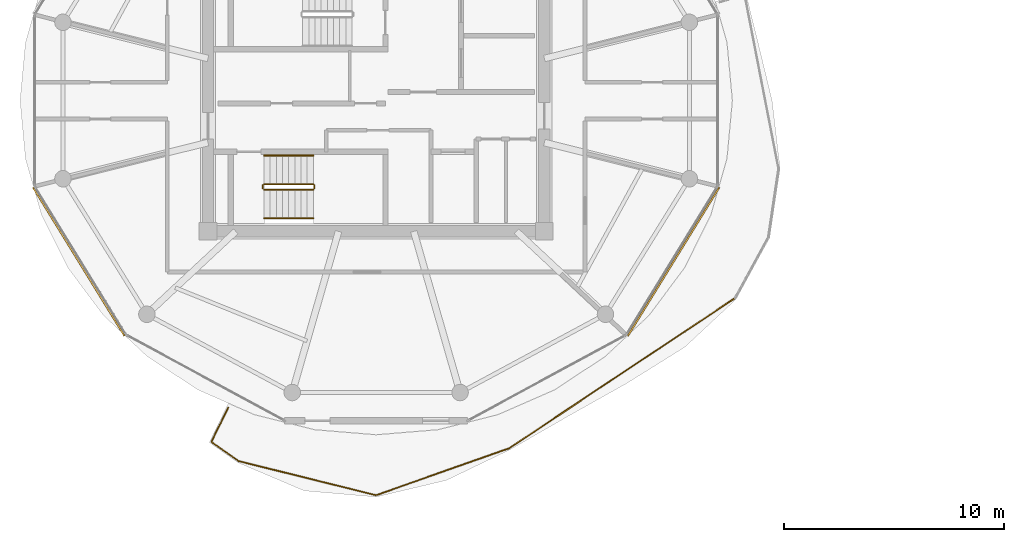
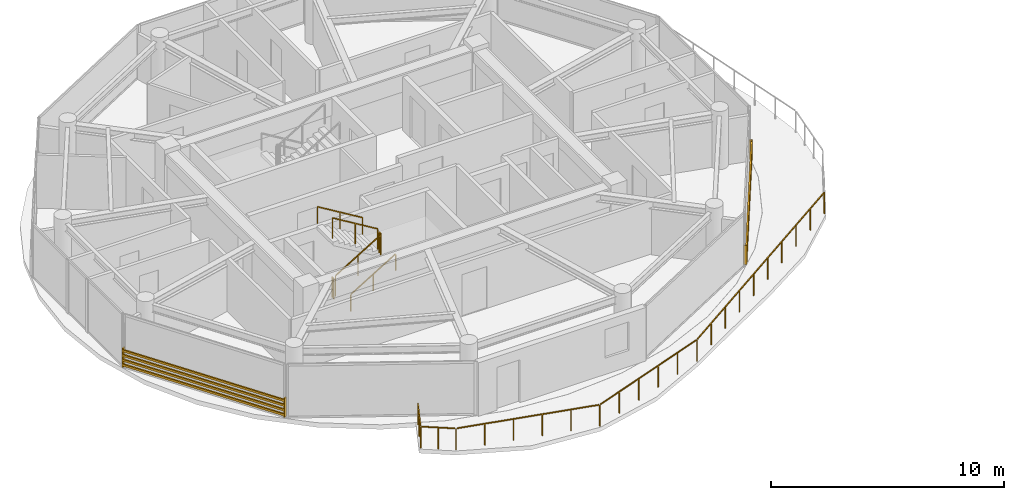
# One storey, part 15 of 19: 7 railings, 2 shading devices.
"""IFC4 building model written with IfcOpenShell, lengths in metres."""

from ifc_helpers import new_model, si_unit, direction, frame, origin, origin_2d, place, context, subcontext, project, spatial, rectangle, extrude, source, transform, mapped, material, type_object, type_shapes, element, save


model = new_model("IFC4")

# Units and contexts
model_context = context("Model", 3, precision=1e-05, world=origin(), true_north=direction((0.0, 1.0)))
body_context = subcontext(model_context, "Body", "Model", "MODEL_VIEW")
ifc_project = project(units=[si_unit("LENGTHUNIT", "METRE"), si_unit("AREAUNIT", "SQUARE_METRE"), si_unit("VOLUMEUNIT", "CUBIC_METRE"), si_unit("PLANEANGLEUNIT", "RADIAN"), si_unit("MASSUNIT", "GRAM", prefix="KILO")], contexts=[model_context])

# Site, building, storey
site_placement = place(None, origin())
site = spatial("IfcSite", under=ifc_project, at=site_placement, CompositionType="ELEMENT")
building_placement = place(site_placement, origin())
building = spatial("IfcBuilding", under=site, at=building_placement, Name="Norrkilde Senior Care Towers", CompositionType="ELEMENT")
storey_placement = place(building_placement, frame((0.0, 0.0, 238.300048828125)))
storey = spatial("IfcBuildingStorey", under=building, at=storey_placement, Name="L74", CompositionType="ELEMENT", Elevation=238.300048828125)

# Railings
ifc_material_1 = material(Name="Anodised Aluminium", Category="aluminium")
railing_type_1 = type_object("IfcRailingType", Name="Balcony Swirl Ribbon Guardrail 1150", PredefinedType="GUARDRAIL", material=ifc_material_1)
railing_1_placement = place(storey_placement, frame((-11.690673828125, -8.992431640625, 0.0)))
element("IfcRailing", 1, at=railing_1_placement, inside=storey, type_object=railing_type_1, Name="L74 Perimeter Safety Guard 03", PredefinedType="GUARDRAIL", context=body_context, shape_type="SweptSolid", body=[
    extrude(rectangle(XDim=0.048095703125, YDim=0.048095703125, at=origin_2d()), frame((0.0, 0.0, 1.1259765625), z_axis=(-0.832741710503, -0.553661668882, 0.0), x_axis=(0.553661668882, -0.832741710503, 0.0)), (0.0, 0.0, 1.0), 12.279052734375),
    extrude(rectangle(XDim=0.048095703125, YDim=0.048095703125, at=origin_2d()), frame((-10.2978515625, -6.834716796875, 1.1259765625), z_axis=(-0.942927155557, -0.332999068038, 0.0), x_axis=(0.332999068038, -0.942927155557, 0.0)), (0.0, 0.0, 1.0), 6.340576171875),
    extrude(rectangle(XDim=0.048095703125, YDim=0.048095703125, at=origin_2d()), frame((-16.35498046875, -8.949951171875, 1.1259765625), z_axis=(-0.970507519552, 0.24107084953, 0.0), x_axis=(-0.24107084953, -0.970507519552, 0.0)), (0.0, 0.0, 1.0), 6.35107421875),
    extrude(rectangle(XDim=0.048095703125, YDim=0.048095703125, at=origin_2d()), frame((-22.591796875, -7.38525390625, 1.1259765625), z_axis=(-0.816985659405, 0.576657985574, 0.0), x_axis=(-0.576657985574, -0.816985659405, 0.0)), (0.0, 0.0, 1.0), 1.43896484375),
    extrude(rectangle(XDim=0.048095703125, YDim=0.048095703125, at=origin_2d()), frame((-23.782958984375, -6.495361328125, 1.1259765625), z_axis=(0.438777350305, 0.898595813956, 0.0), x_axis=(-0.898595813956, 0.438777350305, 0.0)), (0.0, 0.0, 1.0), 1.699462890625),
    extrude(rectangle(XDim=0.0419921875, YDim=0.0419921875, at=origin_2d()), origin(), (0.0, 0.0, 1.0), 1.099853515625),
    extrude(rectangle(XDim=0.0419921875, YDim=0.0419921875, at=origin_2d()), frame((-1.139892578125, -0.7578125, 0.0)), (0.0, 0.0, 1.0), 1.099853515625),
    extrude(rectangle(XDim=0.0419921875, YDim=0.0419921875, at=origin_2d()), frame((-2.27978515625, -1.515869140625, 0.0)), (0.0, 0.0, 1.0), 1.099853515625),
    extrude(rectangle(XDim=0.0419921875, YDim=0.0419921875, at=origin_2d()), frame((-3.419677734375, -2.273681640625, 0.0)), (0.0, 0.0, 1.0), 1.099853515625),
    extrude(rectangle(XDim=0.0419921875, YDim=0.0419921875, at=origin_2d()), frame((-4.5595703125, -3.031494140625, 0.0)), (0.0, 0.0, 1.0), 1.099853515625),
    extrude(rectangle(XDim=0.0419921875, YDim=0.0419921875, at=origin_2d()), frame((-5.69970703125, -3.78955078125, 0.0)), (0.0, 0.0, 1.0), 1.099853515625),
    extrude(rectangle(XDim=0.0419921875, YDim=0.0419921875, at=origin_2d()), frame((-6.839599609375, -4.54736328125, 0.0)), (0.0, 0.0, 1.0), 1.099853515625),
    extrude(rectangle(XDim=0.0419921875, YDim=0.0419921875, at=origin_2d()), frame((-7.9794921875, -5.30517578125, 0.0)), (0.0, 0.0, 1.0), 1.099853515625),
    extrude(rectangle(XDim=0.0419921875, YDim=0.0419921875, at=origin_2d()), frame((-9.119384765625, -6.063232421875, 0.0)), (0.0, 0.0, 1.0), 1.099853515625),
    extrude(rectangle(XDim=0.0419921875, YDim=0.0419921875, at=origin_2d()), frame((-10.25927734375, -6.821044921875, 0.0)), (0.0, 0.0, 1.0), 1.099853515625),
    extrude(rectangle(XDim=0.0419921875, YDim=0.0419921875, at=origin_2d()), frame((-11.470458984375, -7.248779296875, 0.0)), (0.0, 0.0, 1.0), 1.099853515625),
    extrude(rectangle(XDim=0.0419921875, YDim=0.0419921875, at=origin_2d()), frame((-12.681640625, -7.676513671875, 0.0)), (0.0, 0.0, 1.0), 1.099853515625),
    extrude(rectangle(XDim=0.0419921875, YDim=0.0419921875, at=origin_2d()), frame((-13.892822265625, -8.104248046875, 0.0)), (0.0, 0.0, 1.0), 1.099853515625),
    extrude(rectangle(XDim=0.0419921875, YDim=0.0419921875, at=origin_2d()), frame((-15.10400390625, -8.531982421875, 0.0)), (0.0, 0.0, 1.0), 1.099853515625),
    extrude(rectangle(XDim=0.0419921875, YDim=0.0419921875, at=origin_2d()), frame((-16.315185546875, -8.959716796875, 0.0)), (0.0, 0.0, 1.0), 1.099853515625),
    extrude(rectangle(XDim=0.0419921875, YDim=0.0419921875, at=origin_2d()), frame((-17.563720703125, -8.649658203125, 0.0)), (0.0, 0.0, 1.0), 1.099853515625),
    extrude(rectangle(XDim=0.0419921875, YDim=0.0419921875, at=origin_2d()), frame((-18.8125, -8.33935546875, 0.0)), (0.0, 0.0, 1.0), 1.099853515625),
    extrude(rectangle(XDim=0.0419921875, YDim=0.0419921875, at=origin_2d()), frame((-20.06103515625, -8.029296875, 0.0)), (0.0, 0.0, 1.0), 1.099853515625),
    extrude(rectangle(XDim=0.0419921875, YDim=0.0419921875, at=origin_2d()), frame((-21.309814453125, -7.718994140625, 0.0)), (0.0, 0.0, 1.0), 1.099853515625),
    extrude(rectangle(XDim=0.0419921875, YDim=0.0419921875, at=origin_2d()), frame((-22.558349609375, -7.408935546875, 0.0)), (0.0, 0.0, 1.0), 1.099853515625),
    extrude(rectangle(XDim=0.0419921875, YDim=0.0419921875, at=origin_2d()), frame((-23.1796875, -6.970458984375, 0.0)), (0.0, 0.0, 1.0), 1.099853515625),
    extrude(rectangle(XDim=0.0419921875, YDim=0.0419921875, at=origin_2d()), frame((-23.80078125, -6.531982421875, 0.0)), (0.0, 0.0, 1.0), 1.099853515625),
    extrude(rectangle(XDim=0.0419921875, YDim=0.0419921875, at=origin_2d()), frame((-23.4189453125, -5.75, 0.0)), (0.0, 0.0, 1.0), 1.099853515625),
    extrude(rectangle(XDim=0.0419921875, YDim=0.0419921875, at=origin_2d()), frame((-23.037109375, -4.968017578125, 0.0)), (0.0, 0.0, 1.0), 1.099853515625),
])
ifc_material_2 = material(Name="Stainless Steel", Category="steel")
railing_type_2 = type_object("IfcRailingType", Name="Stair and Terrace Guardrail 1100", PredefinedType="GUARDRAIL", material=ifc_material_2)
railing_2_placement = place(storey_placement, frame((-33.10009765625, -4.050048828125, 0.16943359375)))
element("IfcRailing", 2, at=railing_2_placement, inside=storey, type_object=railing_type_2, Name="L74 ST-W2 stair guard 1", PredefinedType="GUARDRAIL", context=body_context, shape_type="SweptSolid", body=[
    extrude(rectangle(XDim=0.048095703125, YDim=0.048095703125, at=origin_2d()), frame((0.0, 0.0, 1.076171875), z_axis=(0.855553338991, 0.0, 0.51771467445), x_axis=(0.0, 1.0, 0.0)), (0.0, 0.0, 1.0), 2.6181640625),
    extrude(rectangle(XDim=0.0419921875, YDim=0.0419921875, at=origin_2d()), origin(), (0.0, 0.0, 1.0), 1.050048828125),
    extrude(rectangle(XDim=0.0419921875, YDim=0.0419921875, at=origin_2d()), frame((1.1201171875, 0.0, 0.677734375)), (0.0, 0.0, 1.0), 1.050048828125),
    extrude(rectangle(XDim=0.0419921875, YDim=0.0419921875, at=origin_2d()), frame((2.239990234375, 0.0, 1.35546875)), (0.0, 0.0, 1.0), 1.050048828125),
])
railing_3_placement = place(storey_placement, frame((-30.81005859375, -4.0, 1.52490234375)))
element("IfcRailing", 3, at=railing_3_placement, inside=storey, type_object=railing_type_2, Name="L74 ST-W2 stair guard 2", PredefinedType="GUARDRAIL", context=body_context, shape_type="SweptSolid", body=[
    extrude(rectangle(XDim=0.048095703125, YDim=0.048095703125, at=origin_2d()), frame((0.0, 0.0, 1.076171875), z_axis=(0.0, 1.0, 0.0), x_axis=(-1.0, 0.0, 0.0)), (0.0, 0.0, 1.0), 0.14990234375),
    extrude(rectangle(XDim=0.0419921875, YDim=0.0419921875, at=origin_2d()), origin(), (0.0, 0.0, 1.0), 1.050048828125),
    extrude(rectangle(XDim=0.0419921875, YDim=0.0419921875, at=origin_2d()), frame((0.0, 0.14990234375, 0.0)), (0.0, 0.0, 1.0), 1.050048828125),
])
railing_4_placement = place(storey_placement, frame((-30.860107421875, -3.800048828125, 1.6943359375)))
element("IfcRailing", 4, at=railing_4_placement, inside=storey, type_object=railing_type_2, Name="L74 ST-W2 stair guard 3", PredefinedType="GUARDRAIL", context=body_context, shape_type="SweptSolid", body=[
    extrude(rectangle(XDim=0.048095703125, YDim=0.048095703125, at=origin_2d()), frame((0.0, 0.0, 1.076171875), z_axis=(-0.855512035549, 0.0, 0.517782924622), x_axis=(0.0, -1.0, 0.0)), (0.0, 0.0, 1.0), 2.618408203125),
    extrude(rectangle(XDim=0.0419921875, YDim=0.0419921875, at=origin_2d()), origin(), (0.0, 0.0, 1.0), 1.050048828125),
    extrude(rectangle(XDim=0.0419921875, YDim=0.0419921875, at=origin_2d()), frame((-1.1201171875, 0.0, 0.677734375)), (0.0, 0.0, 1.0), 1.050048828125),
    extrude(rectangle(XDim=0.0419921875, YDim=0.0419921875, at=origin_2d()), frame((-2.239990234375, 0.0, 1.355712890625)), (0.0, 0.0, 1.0), 1.050048828125),
])
railing_5_placement = place(storey_placement, frame((-33.14990234375, -4.0, 0.0)))
element("IfcRailing", 5, at=railing_5_placement, inside=storey, type_object=railing_type_2, Name="L74 ST-W2 stair guard 4", PredefinedType="GUARDRAIL", context=body_context, shape_type="SweptSolid", body=[
    extrude(rectangle(XDim=0.048095703125, YDim=0.048095703125, at=origin_2d()), frame((0.0, 0.0, 1.076171875), z_axis=(0.0, 1.0, 0.0), x_axis=(-1.0, 0.0, 0.0)), (0.0, 0.0, 1.0), 0.14990234375),
    extrude(rectangle(XDim=0.0419921875, YDim=0.0419921875, at=origin_2d()), origin(), (0.0, 0.0, 1.0), 1.050048828125),
    extrude(rectangle(XDim=0.0419921875, YDim=0.0419921875, at=origin_2d()), frame((0.0, 0.14990234375, 0.0)), (0.0, 0.0, 1.0), 1.050048828125),
])
ifc_material_3 = material(Name="Nordic Ash Timber", Category="wood")
railing_type_3 = type_object("IfcRailingType", Name="Wall and Stair Handrail 900", PredefinedType="HANDRAIL", material=ifc_material_3)
railing_6_placement = place(storey_placement, frame((-33.10009765625, -5.35009765625, 0.16943359375)))
element("IfcRailing", 6, at=railing_6_placement, inside=storey, type_object=railing_type_3, Name="L74 ST-W2 stair handrail 1", PredefinedType="HANDRAIL", context=body_context, shape_type="SweptSolid", body=[
    extrude(rectangle(XDim=0.048095703125, YDim=0.048095703125, at=origin_2d()), frame((0.0, 0.0, 0.8759765625), z_axis=(0.855553338991, 0.0, 0.51771467445), x_axis=(0.0, 1.0, 0.0)), (0.0, 0.0, 1.0), 2.6181640625),
    extrude(rectangle(XDim=0.0419921875, YDim=0.0419921875, at=origin_2d()), origin(), (0.0, 0.0, 1.0), 0.849853515625),
    extrude(rectangle(XDim=0.0419921875, YDim=0.0419921875, at=origin_2d()), frame((1.1201171875, 0.0, 0.677734375)), (0.0, 0.0, 1.0), 0.849853515625),
    extrude(rectangle(XDim=0.0419921875, YDim=0.0419921875, at=origin_2d()), frame((2.239990234375, 0.0, 1.35546875)), (0.0, 0.0, 1.0), 0.849853515625),
])
railing_7_placement = place(storey_placement, frame((-30.860107421875, -2.5, 1.6943359375)))
element("IfcRailing", 7, at=railing_7_placement, inside=storey, type_object=railing_type_3, Name="L74 ST-W2 stair handrail 2", PredefinedType="HANDRAIL", context=body_context, shape_type="SweptSolid", body=[
    extrude(rectangle(XDim=0.048095703125, YDim=0.048095703125, at=origin_2d()), frame((0.0, 0.0, 0.8759765625), z_axis=(-0.855512035549, 0.0, 0.517782924622), x_axis=(0.0, -1.0, 0.0)), (0.0, 0.0, 1.0), 2.618408203125),
    extrude(rectangle(XDim=0.0419921875, YDim=0.0419921875, at=origin_2d()), origin(), (0.0, 0.0, 1.0), 0.849853515625),
    extrude(rectangle(XDim=0.0419921875, YDim=0.0419921875, at=origin_2d()), frame((-1.1201171875, 0.0, 0.677734375)), (0.0, 0.0, 1.0), 0.849853515625),
    extrude(rectangle(XDim=0.0419921875, YDim=0.0419921875, at=origin_2d()), frame((-2.239990234375, 0.0, 1.355712890625)), (0.0, 0.0, 1.0), 0.849853515625),
])

# Shading devices
ifc_material_4 = material(Name="Architectural Terracotta", Category="masonry")
shading_device_type = type_object("IfcShadingDeviceType", Name="Horizontal Terracotta Baguette Rack", PredefinedType="USERDEFINED", material=ifc_material_4)
shared_shape = source(origin(), body_context, "Body", "SweptSolid", [
    extrude(rectangle(XDim=0.070068359375, YDim=0.110107421875, at=origin_2d()), frame((0.0, 0.090087890625, 0.125), z_axis=(1.0, 0.0, 0.0), x_axis=(0.0, 1.0, 0.0)), (0.0, 0.0, 1.0), 7.938232421875),
    extrude(rectangle(XDim=0.070068359375, YDim=0.110107421875, at=origin_2d()), frame((0.0, 0.090087890625, 0.375), z_axis=(1.0, 0.0, 0.0), x_axis=(0.0, 1.0, 0.0)), (0.0, 0.0, 1.0), 7.938232421875),
    extrude(rectangle(XDim=0.070068359375, YDim=0.110107421875, at=origin_2d()), frame((0.0, 0.090087890625, 0.625), z_axis=(1.0, 0.0, 0.0), x_axis=(0.0, 1.0, 0.0)), (0.0, 0.0, 1.0), 7.938232421875),
    extrude(rectangle(XDim=0.070068359375, YDim=0.110107421875, at=origin_2d()), frame((0.0, 0.090087890625, 0.875), z_axis=(1.0, 0.0, 0.0), x_axis=(0.0, 1.0, 0.0)), (0.0, 0.0, 1.0), 7.938232421875),
    extrude(rectangle(XDim=0.050048828125, YDim=0.1552734375, at=origin_2d()), frame((0.02490234375, 0.047607421875, 0.0)), (0.0, 0.0, 1.0), 1.0),
    extrude(rectangle(XDim=0.050048828125, YDim=0.1552734375, at=origin_2d()), frame((7.9130859375, 0.047607421875, 0.0)), (0.0, 0.0, 1.0), 1.0),
])
type_shapes(shading_device_type, [shared_shape])
for number, where, z_axis, x_axis, name in (
    (8, (-39.370361328125, -10.6630859375, 0.079833984375), (0.0, 0.0, 1.0), (-0.524250345994, 0.851576195602, 0.0), "L74 Drum W Terracotta Baguette Screen 06"),
    (9, (-12.468017578125, -3.903076171875, 0.079833984375), (0.0, 0.0, 1.0), (-0.524250345994, -0.851576195602, 0.0), "L74 Drum W Terracotta Baguette Screen 10"),
):
    element("IfcShadingDevice", number, at=place(storey_placement, frame(where, z_axis=z_axis, x_axis=x_axis)), inside=storey, type_object=shading_device_type, Name=name, ObjectType="BAGUETTE", PredefinedType="USERDEFINED", context=body_context, shape_type="MappedRepresentation", body=[
        mapped(shared_shape, transform((0.0, 0.0, 0.0), x_axis=(1.0, 0.0, 0.0), y_axis=(0.0, 1.0, 0.0), z_axis=(0.0, 0.0, 1.0), scale=1.0)),
    ])

save(model, "model.ifc")
